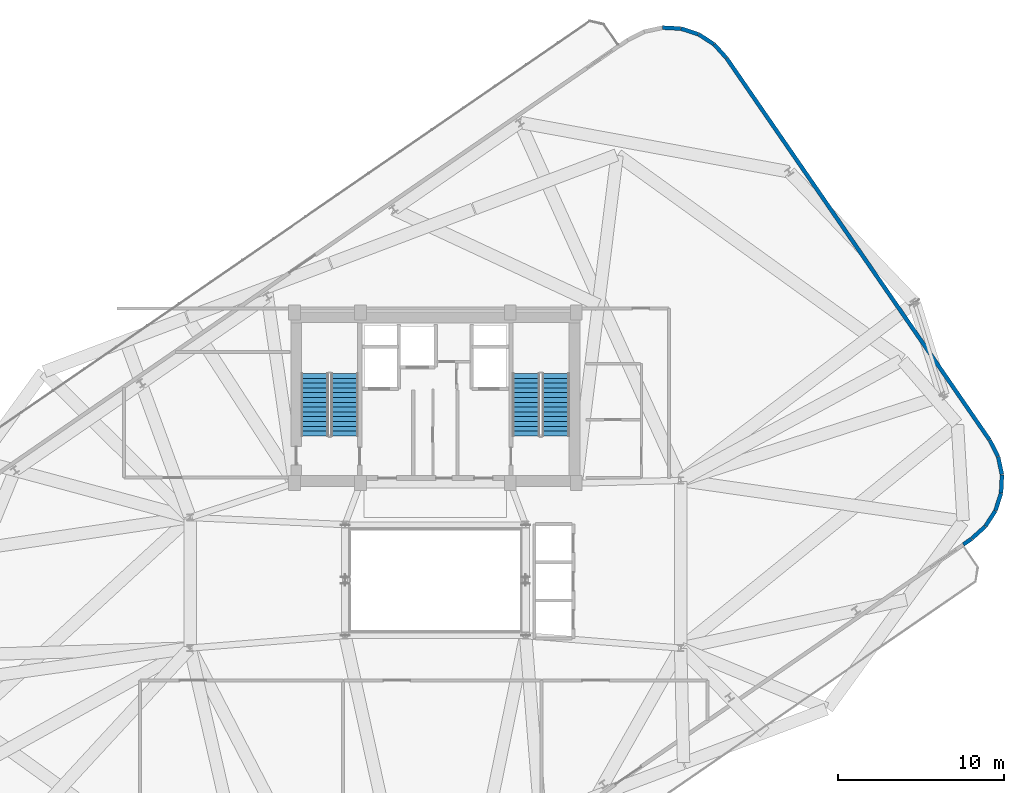
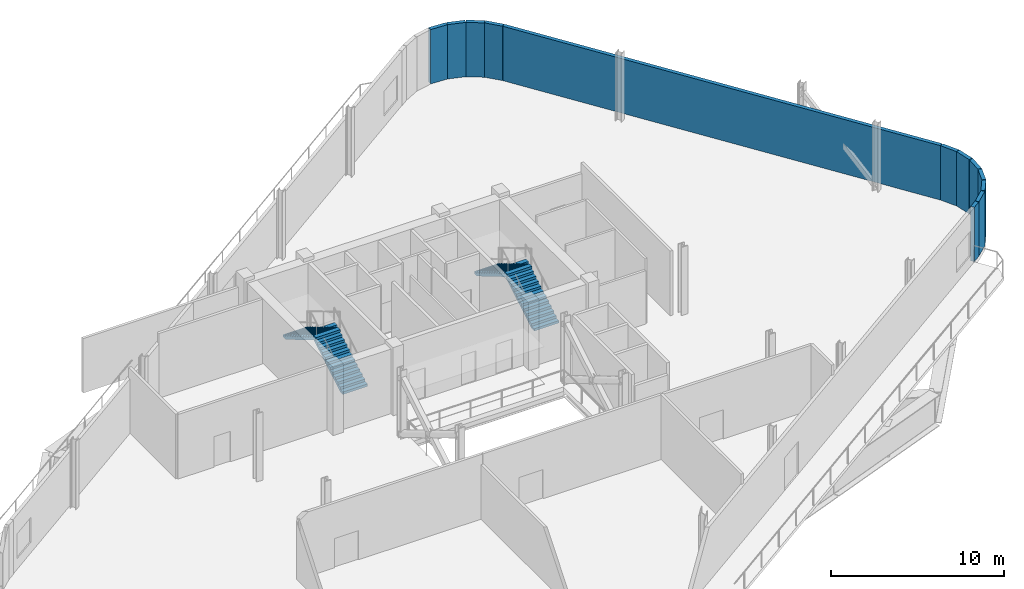
# One storey, part 9 of 13: 12 walls, 4 stair flights, 2 elements without a shape of their own.
"""IFC4 building model written with IfcOpenShell, lengths in metres."""

from ifc_helpers import new_model, si_unit, direction, frame, frame_2d, origin, place, context, subcontext, project, spatial, polyline, rectangle, outline, extrude, material, layer, layer_set, type_object, element, aggregate, save


model = new_model("IFC4")

# Units and contexts
model_context = context("Model", 3, precision=1e-05, world=origin(), true_north=direction((0.0, 1.0)))
body_context = subcontext(model_context, "Body", "Model", "MODEL_VIEW")
ifc_project = project(units=[si_unit("LENGTHUNIT", "METRE"), si_unit("AREAUNIT", "SQUARE_METRE"), si_unit("VOLUMEUNIT", "CUBIC_METRE"), si_unit("PLANEANGLEUNIT", "RADIAN"), si_unit("MASSUNIT", "GRAM", prefix="KILO")], contexts=[model_context])

# Site, building, storey
site_placement = place(None, origin())
site = spatial("IfcSite", under=ifc_project, at=site_placement, CompositionType="ELEMENT")
building_placement = place(site_placement, origin())
building = spatial("IfcBuilding", under=site, at=building_placement, Name="Varnelok Gate Tower", CompositionType="ELEMENT")
storey_placement = place(building_placement, frame((0.0, 0.0, 253.39990234375)))
storey = spatial("IfcBuildingStorey", under=building, at=storey_placement, Name="L65", CompositionType="ELEMENT", Elevation=253.39990234375)

# Walls
ifc_material_1 = material(Name="Concrete C45/55", Category="concrete")
ifc_layer = layer(ifc_material_1, 0.239990234375)
ifc_layer_set = layer_set([ifc_layer], Name="Concrete C45/55")
wall_type = type_object("IfcWallType", Name="EW-PLANT-240", PredefinedType="SOLIDWALL", material=ifc_layer_set)
wall_1_placement = place(storey_placement, frame((71.063720703125, 25.051513671875, 0.0), z_axis=(0.0, 0.0, 1.0), x_axis=(0.82358462293, 0.56719341399, 0.0)))
element("IfcWall", 1, at=wall_1_placement, inside=storey, type_object=wall_type, Name="L65 Perimeter Facade Closure Wall 8", PredefinedType="SOLIDWALL", context=body_context, shape_type="SweptSolid", body=[
    extrude(rectangle(XDim=0.59228515625, YDim=0.239990234375, at=frame_2d((0.296142578125, 0.0))), origin(), (0.0, 0.0, 1.0), 3.830078125),
])
wall_2_placement = place(storey_placement, frame((71.570068359375, 25.404296875, 0.0), z_axis=(0.0, 0.0, 1.0), x_axis=(0.742465815116, 0.669883955163, 0.0)))
element("IfcWall", 2, at=wall_2_placement, inside=storey, type_object=wall_type, Name="L65 Perimeter Facade Closure Wall 9", PredefinedType="SOLIDWALL", context=body_context, shape_type="SweptSolid", body=[
    extrude(rectangle(XDim=1.099853515625, YDim=0.239990234375, at=frame_2d((0.5498046875, 0.0))), origin(), (0.0, 0.0, 1.0), 3.830078125),
])
for number, where, z_axis, x_axis, name in (
    (3, (72.400390625, 26.162109375, 0.0), (0.0, 0.0, 1.0), (0.543714687717, 0.839270122405, 0.0), "L65 Perimeter Facade Closure Wall 10"),
    (4, (73.001708984375, 27.102294921875, 0.0), (0.0, 0.0, 1.0), (0.308302399783, 0.951288405421, 0.0), "L65 Perimeter Facade Closure Wall 11"),
    (5, (73.339599609375, 28.166259765625, 0.0), (0.0, 0.0, 1.0), (0.051197599359, 0.99868854295, 0.0), "L65 Perimeter Facade Closure Wall 12"),
    (6, (73.39013671875, 29.28125, 0.0), (0.0, 0.0, 1.0), (-0.208826656407, 0.977952671439, 0.0), "L65 Perimeter Facade Closure Wall 13"),
):
    element("IfcWall", number, at=place(storey_placement, frame(where, z_axis=z_axis, x_axis=x_axis)), inside=storey, type_object=wall_type, Name=name, PredefinedType="SOLIDWALL", context=body_context, shape_type="SweptSolid", body=[
        extrude(rectangle(XDim=1.092041015625, YDim=0.239990234375, at=frame_2d((0.5458984375, 0.0))), origin(), (0.0, 0.0, 1.0), 3.830078125),
    ])
wall_3_placement = place(storey_placement, frame((73.15087890625, 30.371337890625, 0.0), z_axis=(0.0, 0.0, 1.0), x_axis=(-0.454919461231, 0.890532584352, 0.0)))
element("IfcWall", 7, at=wall_3_placement, inside=storey, type_object=wall_type, Name="L65 Perimeter Facade Closure Wall 14", PredefinedType="SOLIDWALL", context=body_context, shape_type="SweptSolid", body=[
    extrude(rectangle(XDim=1.10009765625, YDim=0.239990234375, at=frame_2d((0.550048828125, 0.0))), origin(), (0.0, 0.0, 1.0), 3.830078125),
])
wall_4_placement = place(storey_placement, frame((72.635986328125, 31.37158203125, 0.0), z_axis=(0.0, 0.0, 1.0), x_axis=(-0.567266810076, 0.823534071053, 0.0)))
element("IfcWall", 8, at=wall_4_placement, inside=storey, type_object=wall_type, Name="L65 Perimeter Facade Closure Wall 15", PredefinedType="SOLIDWALL", context=body_context, shape_type="SweptSolid", body=[
    extrude(rectangle(XDim=27.959228515625, YDim=0.239990234375, at=frame_2d((13.9794921875, 0.0))), origin(), (0.0, 0.0, 1.0), 3.830078125),
])
wall_5_placement = place(storey_placement, frame((56.759033203125, 54.41552734375, 0.0), z_axis=(0.0, 0.0, 1.0), x_axis=(-0.669883955163, 0.742465815116, 0.0)))
element("IfcWall", 9, at=wall_5_placement, inside=storey, type_object=wall_type, Name="L65 Perimeter Facade Closure Wall 16", PredefinedType="SOLIDWALL", context=body_context, shape_type="SweptSolid", body=[
    extrude(rectangle(XDim=1.099853515625, YDim=0.239990234375, at=frame_2d((0.5498046875, 0.0))), origin(), (0.0, 0.0, 1.0), 3.830078125),
])
wall_6_placement = place(storey_placement, frame((56.001220703125, 55.245849609375, 0.0), z_axis=(0.0, 0.0, 1.0), x_axis=(-0.839270122405, 0.543714687717, 0.0)))
element("IfcWall", 10, at=wall_6_placement, inside=storey, type_object=wall_type, Name="L65 Perimeter Facade Closure Wall 17", PredefinedType="SOLIDWALL", context=body_context, shape_type="SweptSolid", body=[
    extrude(rectangle(XDim=1.092041015625, YDim=0.239990234375, at=frame_2d((0.5458984375, 0.0))), origin(), (0.0, 0.0, 1.0), 3.830078125),
])
wall_7_placement = place(storey_placement, frame((55.060791015625, 55.847412109375, 0.0), z_axis=(0.0, 0.0, 1.0), x_axis=(-0.95141947637, 0.307897677782, 0.0)))
element("IfcWall", 11, at=wall_7_placement, inside=storey, type_object=wall_type, Name="L65 Perimeter Facade Closure Wall 18", PredefinedType="SOLIDWALL", context=body_context, shape_type="SweptSolid", body=[
    extrude(rectangle(XDim=1.091796875, YDim=0.239990234375, at=frame_2d((0.5458984375, 0.0))), origin(), (0.0, 0.0, 1.0), 3.830078125),
])
wall_8_placement = place(storey_placement, frame((53.9970703125, 56.184814453125, 0.0), z_axis=(0.0, 0.0, 1.0), x_axis=(-0.998677677869, 0.051409101591, 0.0)))
element("IfcWall", 12, at=wall_8_placement, inside=storey, type_object=wall_type, Name="L65 Perimeter Facade Closure Wall 19", PredefinedType="SOLIDWALL", context=body_context, shape_type="SweptSolid", body=[
    extrude(rectangle(XDim=1.09228515625, YDim=0.239990234375, at=frame_2d((0.546142578125, 0.0))), origin(), (0.0, 0.0, 1.0), 3.830078125),
])

# Stair, stair flights
ifc_material_2 = material(Name="Concrete C50/60", Category="concrete")
stair_type = type_object("IfcStairType", Name="STR-CORE-1650", PredefinedType="HALF_TURN_STAIR", material=ifc_material_2)
stair_1_placement = place(storey_placement, origin())
stair_1 = element("IfcStair", 13, at=stair_1_placement, inside=storey, type_object=stair_type, Name="L65 Exit Stair ST-1", PredefinedType="HALF_TURN_STAIR")
stair_flight_type = type_object("IfcStairFlightType", Name="SFL-CORE-1650", PredefinedType="STRAIGHT", material=ifc_material_2)
stair_flight_1_placement = place(storey_placement, frame((33.72509765625, 31.60009765625, 0.0), z_axis=(0.0, 0.0, 1.0), x_axis=(0.0, 1.0, 0.0)))
stair_flight_1 = element("IfcStairFlight", 14, at=stair_flight_1_placement, type_object=stair_flight_type, Name="ST-1 flight 1", NumberOfRisers=14, NumberOfTreads=13, PredefinedType="STRAIGHT", RiserHeight=0.171428571, TreadLength=0.29, context=body_context, shape_type="SweptSolid", body=[
    extrude(outline(polyline([(0.0, 0.0), (0.0, 0.17138671875), (0.2900390625, 0.17138671875), (0.2900390625, 0.3427734375), (0.580078125, 0.3427734375), (0.580078125, 0.514404296875), (0.8701171875, 0.514404296875), (0.8701171875, 0.685791015625), (1.159912109375, 0.685791015625), (1.159912109375, 0.857177734375), (1.449951171875, 0.857177734375), (1.449951171875, 1.028564453125), (1.739990234375, 1.028564453125), (1.739990234375, 1.199951171875), (2.030029296875, 1.199951171875), (2.030029296875, 1.371337890625), (2.320068359375, 1.371337890625), (2.320068359375, 1.54296875), (2.610107421875, 1.54296875), (2.610107421875, 1.71435546875), (2.89990234375, 1.71435546875), (2.89990234375, 1.8857421875), (3.18994140625, 1.8857421875), (3.18994140625, 2.05712890625), (3.47998046875, 2.05712890625), (3.47998046875, 2.228515625), (3.77001953125, 2.228515625), (3.77001953125, 2.39990234375), (3.77001953125, 2.054443359375), (0.294677734375, 0.0), (0.0, 0.0)])), frame((0.0, 0.824951171875, 0.0), z_axis=(0.0, -1.0, 0.0), x_axis=(1.0, 0.0, 0.0)), (0.0, 0.0, 1.0), 1.64990234375),
])
stair_flight_2_placement = place(storey_placement, frame((31.925048828125, 35.3701171875, 2.400146484375), z_axis=(0.0, 0.0, 1.0), x_axis=(0.0, -1.0, 0.0)))
stair_flight_2 = element("IfcStairFlight", 15, at=stair_flight_2_placement, type_object=stair_flight_type, Name="ST-1 flight 2", NumberOfRisers=14, NumberOfTreads=13, PredefinedType="STRAIGHT", RiserHeight=0.171428571, TreadLength=0.29, context=body_context, shape_type="SweptSolid", body=[
    extrude(outline(polyline([(0.0, 0.0), (0.0, 0.17138671875), (0.2900390625, 0.17138671875), (0.2900390625, 0.3427734375), (0.580078125, 0.3427734375), (0.580078125, 0.514404296875), (0.8701171875, 0.514404296875), (0.8701171875, 0.685791015625), (1.159912109375, 0.685791015625), (1.159912109375, 0.857177734375), (1.449951171875, 0.857177734375), (1.449951171875, 1.028564453125), (1.739990234375, 1.028564453125), (1.739990234375, 1.199951171875), (2.030029296875, 1.199951171875), (2.030029296875, 1.371337890625), (2.320068359375, 1.371337890625), (2.320068359375, 1.54296875), (2.610107421875, 1.54296875), (2.610107421875, 1.71435546875), (2.89990234375, 1.71435546875), (2.89990234375, 1.8857421875), (3.18994140625, 1.8857421875), (3.18994140625, 2.05712890625), (3.47998046875, 2.05712890625), (3.47998046875, 2.228515625), (3.77001953125, 2.228515625), (3.77001953125, 2.39990234375), (3.77001953125, 2.054443359375), (0.294677734375, 0.0), (0.0, 0.0)])), frame((0.0, 0.824951171875, 0.0), z_axis=(0.0, -1.0, 0.0), x_axis=(1.0, 0.0, 0.0)), (0.0, 0.0, 1.0), 1.64990234375),
])
aggregate(stair_1, [stair_flight_1, stair_flight_2])

stair_2_placement = place(storey_placement, origin())
stair_2 = element("IfcStair", 16, at=stair_2_placement, inside=storey, type_object=stair_type, Name="L65 Exit Stair ST-2", PredefinedType="HALF_TURN_STAIR")
stair_flight_3_placement = place(storey_placement, frame((46.47509765625, 31.60009765625, 0.0), z_axis=(0.0, 0.0, 1.0), x_axis=(0.0, 1.0, 0.0)))
stair_flight_3 = element("IfcStairFlight", 17, at=stair_flight_3_placement, type_object=stair_flight_type, Name="ST-2 flight 1", NumberOfRisers=14, NumberOfTreads=13, PredefinedType="STRAIGHT", RiserHeight=0.171428571, TreadLength=0.29, context=body_context, shape_type="SweptSolid", body=[
    extrude(outline(polyline([(0.0, 0.0), (0.0, 0.17138671875), (0.2900390625, 0.17138671875), (0.2900390625, 0.3427734375), (0.580078125, 0.3427734375), (0.580078125, 0.514404296875), (0.8701171875, 0.514404296875), (0.8701171875, 0.685791015625), (1.159912109375, 0.685791015625), (1.159912109375, 0.857177734375), (1.449951171875, 0.857177734375), (1.449951171875, 1.028564453125), (1.739990234375, 1.028564453125), (1.739990234375, 1.199951171875), (2.030029296875, 1.199951171875), (2.030029296875, 1.371337890625), (2.320068359375, 1.371337890625), (2.320068359375, 1.54296875), (2.610107421875, 1.54296875), (2.610107421875, 1.71435546875), (2.89990234375, 1.71435546875), (2.89990234375, 1.8857421875), (3.18994140625, 1.8857421875), (3.18994140625, 2.05712890625), (3.47998046875, 2.05712890625), (3.47998046875, 2.228515625), (3.77001953125, 2.228515625), (3.77001953125, 2.39990234375), (3.77001953125, 2.054443359375), (0.294677734375, 0.0), (0.0, 0.0)])), frame((0.0, 0.824951171875, 0.0), z_axis=(0.0, -1.0, 0.0), x_axis=(1.0, 0.0, 0.0)), (0.0, 0.0, 1.0), 1.64990234375),
])
stair_flight_4_placement = place(storey_placement, frame((44.675048828125, 35.3701171875, 2.400146484375), z_axis=(0.0, 0.0, 1.0), x_axis=(0.0, -1.0, 0.0)))
stair_flight_4 = element("IfcStairFlight", 18, at=stair_flight_4_placement, type_object=stair_flight_type, Name="ST-2 flight 2", NumberOfRisers=14, NumberOfTreads=13, PredefinedType="STRAIGHT", RiserHeight=0.171428571, TreadLength=0.29, context=body_context, shape_type="SweptSolid", body=[
    extrude(outline(polyline([(0.0, 0.0), (0.0, 0.17138671875), (0.2900390625, 0.17138671875), (0.2900390625, 0.3427734375), (0.580078125, 0.3427734375), (0.580078125, 0.514404296875), (0.8701171875, 0.514404296875), (0.8701171875, 0.685791015625), (1.159912109375, 0.685791015625), (1.159912109375, 0.857177734375), (1.449951171875, 0.857177734375), (1.449951171875, 1.028564453125), (1.739990234375, 1.028564453125), (1.739990234375, 1.199951171875), (2.030029296875, 1.199951171875), (2.030029296875, 1.371337890625), (2.320068359375, 1.371337890625), (2.320068359375, 1.54296875), (2.610107421875, 1.54296875), (2.610107421875, 1.71435546875), (2.89990234375, 1.71435546875), (2.89990234375, 1.8857421875), (3.18994140625, 1.8857421875), (3.18994140625, 2.05712890625), (3.47998046875, 2.05712890625), (3.47998046875, 2.228515625), (3.77001953125, 2.228515625), (3.77001953125, 2.39990234375), (3.77001953125, 2.054443359375), (0.294677734375, 0.0), (0.0, 0.0)])), frame((0.0, 0.824951171875, 0.0), z_axis=(0.0, -1.0, 0.0), x_axis=(1.0, 0.0, 0.0)), (0.0, 0.0, 1.0), 1.64990234375),
])
aggregate(stair_2, [stair_flight_3, stair_flight_4])

save(model, "model.ifc")
